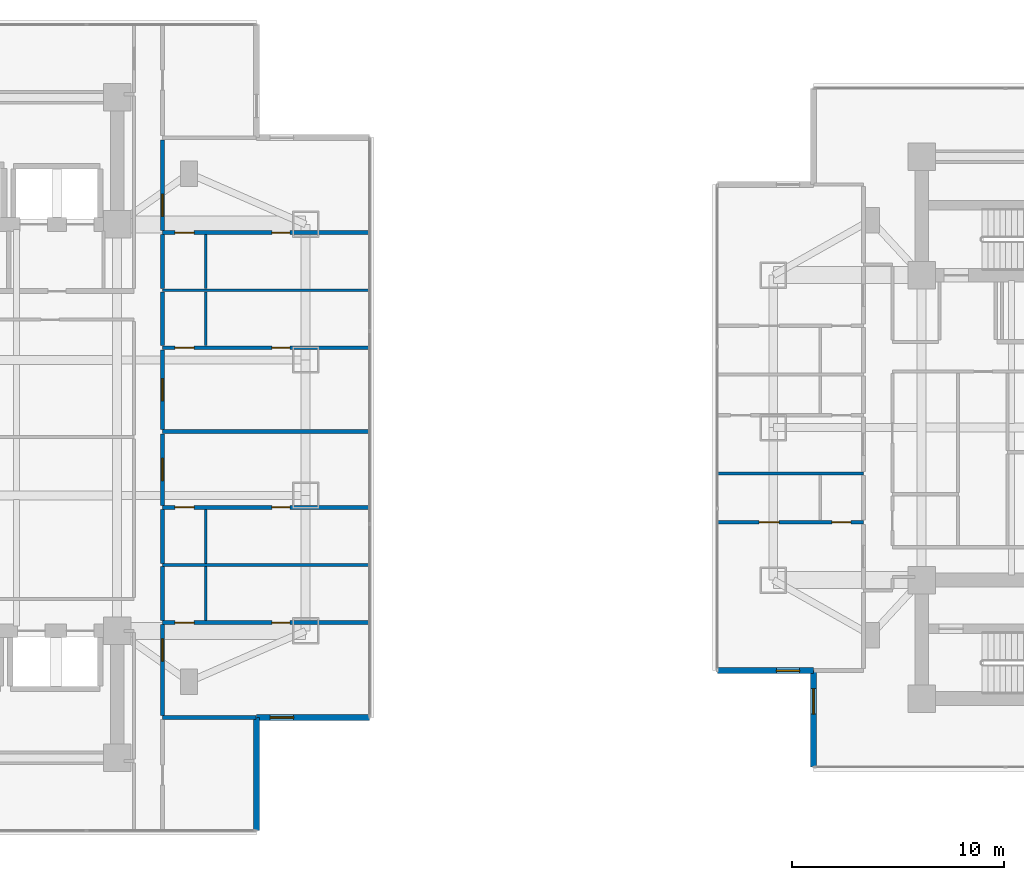
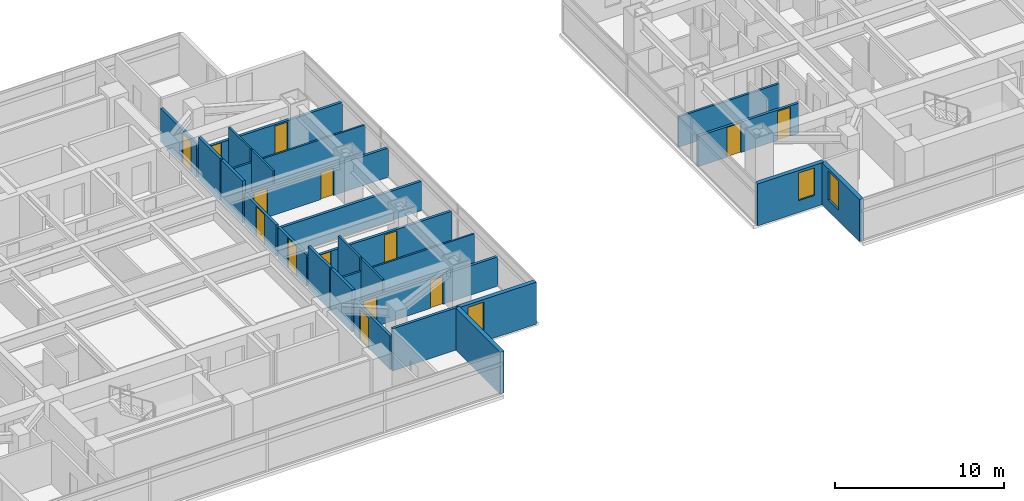
# One storey, part 14 of 24: 26 walls, 14 doors, 3 windows, 17 openings.
"""IFC4 building model written with IfcOpenShell, lengths in metres."""

from ifc_helpers import new_model, si_unit, direction, frame, frame_2d, origin, place, context, subcontext, project, spatial, rectangle, extrude, material, layer, layer_set, type_object, element, fill, save


model = new_model("IFC4")

# Units and contexts
model_context = context("Model", 3, precision=1e-05, world=origin(), true_north=direction((0.0, 1.0)))
body_context = subcontext(model_context, "Body", "Model", "MODEL_VIEW")
ifc_project = project(units=[si_unit("LENGTHUNIT", "METRE"), si_unit("AREAUNIT", "SQUARE_METRE"), si_unit("VOLUMEUNIT", "CUBIC_METRE"), si_unit("PLANEANGLEUNIT", "RADIAN"), si_unit("MASSUNIT", "GRAM", prefix="KILO")], contexts=[model_context])

# Site, building, storey
site_placement = place(None, origin())
site = spatial("IfcSite", under=ifc_project, at=site_placement, CompositionType="ELEMENT")
building_placement = place(site_placement, origin())
building = spatial("IfcBuilding", under=site, at=building_placement, Name="Mirazonda Arch Towers", CompositionType="ELEMENT")
storey_placement = place(building_placement, frame((0.0, 0.0, 62.0)))
storey = spatial("IfcBuildingStorey", under=building, at=storey_placement, Name="L17", CompositionType="ELEMENT", Elevation=62.0)

# Wall, opening, window
ifc_material_1 = material(Name="Precast Concrete C40/50", Category="concrete")
ifc_layer_1 = layer(ifc_material_1, 0.280029296875, Name="WALL-EXT-WALL-280")
ifc_layer_set_1 = layer_set([ifc_layer_1], Name="Precast Concrete C40/50")
wall_type_1 = type_object("IfcWallType", Name="WALL-EXT-WALL-280", PredefinedType="SOLIDWALL", material=ifc_layer_set_1)
wall_1_placement = place(storey_placement, frame((36.580078125, 14.305908203125, 0.0), z_axis=(0.0, 0.0, 1.0), x_axis=(1.0, 0.0, 0.0)))
wall_1 = element("IfcWall", 1, at=wall_1_placement, inside=storey, type_object=wall_type_1, Name="L17 T1 Corner Notch Return Wall WL-L17-T1-CSE1", PredefinedType="SOLIDWALL", context=body_context, shape_type="SweptSolid", body=[
    extrude(rectangle(XDim=5.33984375, YDim=0.280029296875, at=frame_2d((2.669921875, 0.0))), origin(), (0.0, 0.0, 1.0), 3.0400390625),
])
opening_1_placement = place(wall_1_placement, frame((0.64990234375, 0.0, 0.85009765625)))
opening_1 = element("IfcOpeningElement", 2, at=opening_1_placement, cuts=wall_1, Name="Opening WN-108", PredefinedType="OPENING", context=body_context, shape_type="SweptSolid", body=[
    extrude(rectangle(XDim=1.10009765625, YDim=2.0, at=frame_2d((0.550048828125, 1.0))), frame((0.0, 0.14990234375, 0.0), z_axis=(0.0, -1.0, 0.0), x_axis=(1.0, 0.0, 0.0)), (0.0, 0.0, 1.0), 0.300048828125),
])
ifc_material_2 = material(Name="Insulated Low-E Solar Glass", Category="glass")
window_type_1 = type_object("IfcWindowType", Name="WIN-NOTCH-1100x2000", PartitioningType="SINGLE_PANEL", PredefinedType="WINDOW", material=ifc_material_2)
window_1_placement = place(opening_1_placement, origin())
window_1 = element("IfcWindow", 3, at=window_1_placement, inside=storey, type_object=window_type_1, Name="L17 Punched Facade Window WN-L17-T1-CSE1", OverallHeight=2.0, OverallWidth=1.10009765625, PartitioningType="SINGLE_PANEL", PredefinedType="WINDOW", context=body_context, shape_type="SweptSolid", body=[
    extrude(rectangle(XDim=1.10009765625, YDim=2.0, at=frame_2d((0.550048828125, 1.0))), frame((0.0, 0.030029296875, 0.0), z_axis=(0.0, -1.0, 0.0), x_axis=(1.0, 0.0, 0.0)), (0.0, 0.0, 1.0), 0.06005859375),
])
fill(opening_1, window_1)

# Wall
wall_2_placement = place(storey_placement, frame((36.580078125, 8.966064453125, 0.0), z_axis=(0.0, 0.0, 1.0), x_axis=(0.0, 1.0, 0.0)))
element("IfcWall", 4, at=wall_2_placement, inside=storey, type_object=wall_type_1, Name="L17 T1 Corner Notch Return Wall WL-L17-T1-CSE2", PredefinedType="SOLIDWALL", context=body_context, shape_type="SweptSolid", body=[
    extrude(rectangle(XDim=5.33984375, YDim=0.280029296875, at=frame_2d((2.669921875, 0.0))), origin(), (0.0, 0.0, 1.0), 3.0400390625),
])

# Wall, opening, window
wall_3_placement = place(storey_placement, frame((62.89208984375, 16.52001953125, 0.0), z_axis=(0.0, 0.0, 1.0), x_axis=(0.0, -1.0, 0.0)))
wall_3 = element("IfcWall", 5, at=wall_3_placement, inside=storey, type_object=wall_type_1, Name="L17 T2 Notched SW Corner Wall WL-L17-T2-CSW", PredefinedType="SOLIDWALL", context=body_context, shape_type="SweptSolid", body=[
    extrude(rectangle(XDim=4.5458984375, YDim=0.280029296875, at=frame_2d((2.27294921875, 0.0))), origin(), (0.0, 0.0, 1.0), 3.0400390625),
])
opening_2_placement = place(wall_3_placement, frame((0.85009765625, 0.0, 0.7900390625)))
opening_2 = element("IfcOpeningElement", 6, at=opening_2_placement, cuts=wall_3, Name="Opening WN-122", PredefinedType="OPENING", context=body_context, shape_type="SweptSolid", body=[
    extrude(rectangle(XDim=1.199951171875, YDim=2.10009765625, at=frame_2d((0.60009765625, 1.050048828125))), frame((0.0, 0.14990234375, 0.0), z_axis=(0.0, -1.0, 0.0), x_axis=(1.0, 0.0, 0.0)), (0.0, 0.0, 1.0), 0.300048828125),
])
window_type_2 = type_object("IfcWindowType", Name="WIN-HTL-1200x2100", PartitioningType="SINGLE_PANEL", PredefinedType="WINDOW", material=ifc_material_2)
window_2_placement = place(opening_2_placement, origin())
window_2 = element("IfcWindow", 7, at=window_2_placement, inside=storey, type_object=window_type_2, Name="L17 Punched Facade Window WN-L17-T2-CSW", OverallHeight=2.10009765625, OverallWidth=1.199951171875, PartitioningType="SINGLE_PANEL", PredefinedType="WINDOW", context=body_context, shape_type="SweptSolid", body=[
    extrude(rectangle(XDim=1.199951171875, YDim=2.10009765625, at=frame_2d((0.60009765625, 1.050048828125))), frame((0.0, 0.030029296875, 0.0), z_axis=(0.0, -1.0, 0.0), x_axis=(1.0, 0.0, 0.0)), (0.0, 0.0, 1.0), 0.06005859375),
])
fill(opening_2, window_2)

wall_4_placement = place(storey_placement, frame((58.345947265625, 16.52001953125, 0.0), z_axis=(0.0, 0.0, 1.0), x_axis=(1.0, 0.0, 0.0)))
wall_4 = element("IfcWall", 8, at=wall_4_placement, inside=storey, type_object=wall_type_1, Name="L17 T2 Corner Notch Return Wall WL-L17-T2-CSW2", PredefinedType="SOLIDWALL", context=body_context, shape_type="SweptSolid", body=[
    extrude(rectangle(XDim=4.546142578125, YDim=0.280029296875, at=frame_2d((2.27294921875, 0.0))), origin(), (0.0, 0.0, 1.0), 3.0400390625),
])
opening_3_placement = place(wall_4_placement, frame((2.7958984375, 0.0, 0.85009765625)))
opening_3 = element("IfcOpeningElement", 9, at=opening_3_placement, cuts=wall_4, Name="Opening WN-108", PredefinedType="OPENING", context=body_context, shape_type="SweptSolid", body=[
    extrude(rectangle(XDim=1.10009765625, YDim=2.0, at=frame_2d((0.550048828125, 1.0))), frame((0.0, 0.14990234375, 0.0), z_axis=(0.0, -1.0, 0.0), x_axis=(1.0, 0.0, 0.0)), (0.0, 0.0, 1.0), 0.300048828125),
])
window_3_placement = place(opening_3_placement, origin())
window_3 = element("IfcWindow", 10, at=window_3_placement, inside=storey, type_object=window_type_1, Name="L17 Punched Facade Window WN-L17-T2-CSW2", OverallHeight=2.0, OverallWidth=1.10009765625, PartitioningType="SINGLE_PANEL", PredefinedType="WINDOW", context=body_context, shape_type="SweptSolid", body=[
    extrude(rectangle(XDim=1.10009765625, YDim=2.0, at=frame_2d((0.550048828125, 1.0))), frame((0.0, 0.030029296875, 0.0), z_axis=(0.0, -1.0, 0.0), x_axis=(1.0, 0.0, 0.0)), (0.0, 0.0, 1.0), 0.06005859375),
])
fill(opening_3, window_3)

# Walls
ifc_material_3 = material(Name="Fire-Rated Gypsum Stud Partition")
ifc_layer_2 = layer(ifc_material_3, 0.14990234375, Name="WALL-PART-CORR-150")
ifc_layer_set_2 = layer_set([ifc_layer_2], Name="Fire-Rated Gypsum Stud Partition")
wall_type_2 = type_object("IfcWallType", Name="WALL-PART-CORR-150", PredefinedType="PARTITIONING", material=ifc_layer_set_2)
wall_5_placement = place(storey_placement, frame((58.345947265625, 25.833984375, 0.0), z_axis=(0.0, 0.0, 1.0), x_axis=(1.0, 0.0, 0.0)))
element("IfcWall", 11, at=wall_5_placement, inside=storey, type_object=wall_type_2, Name="L17 Interior Partition 028", PredefinedType="PARTITIONING", context=body_context, shape_type="SweptSolid", body=[
    extrude(rectangle(XDim=6.904052734375, YDim=0.14990234375, at=frame_2d((3.4521484375, 0.0))), origin(), (0.0, 0.0, 1.0), 2.196044921875),
])
ifc_material_4 = material(Name="Fire-Rated Gypsum Twin-Stud Assembly")
ifc_layer_3 = layer(ifc_material_4, 0.179931640625, Name="WALL-PART-DEMISE-180")
ifc_layer_set_3 = layer_set([ifc_layer_3], Name="Fire-Rated Gypsum Twin-Stud Assembly")
wall_type_3 = type_object("IfcWallType", Name="WALL-PART-DEMISE-180", PredefinedType="PARTITIONING", material=ifc_layer_set_3)
wall_6_placement = place(storey_placement, frame((32.139892578125, 14.305908203125, 0.0), z_axis=(0.0, 0.0, 1.0), x_axis=(1.0, 0.0, 0.0)))
element("IfcWall", 12, at=wall_6_placement, inside=storey, type_object=wall_type_3, Name="L17 Interior Partition 005", PredefinedType="PARTITIONING", context=body_context, shape_type="SweptSolid", body=[
    extrude(rectangle(XDim=4.420166015625, YDim=0.179931640625, at=frame_2d((2.2099609375, 0.0))), origin(), (0.0, 0.0, 1.0), 3.06005859375),
])

# Wall, openings, doors
wall_7_placement = place(storey_placement, frame((32.139892578125, 18.7900390625, 0.0), z_axis=(0.0, 0.0, 1.0), x_axis=(1.0, 0.0, 0.0)))
wall_7 = element("IfcWall", 13, at=wall_7_placement, inside=storey, type_object=wall_type_3, Name="L17 Interior Partition 015", PredefinedType="PARTITIONING", context=body_context, shape_type="SweptSolid", body=[
    extrude(rectangle(XDim=9.780029296875, YDim=0.179931640625, at=frame_2d((4.89013671875, 0.0))), origin(), (0.0, 0.0, 1.0), 2.125),
])
opening_4_placement = place(wall_7_placement, frame((5.1650390625, 0.0, 0.0)))
opening_4 = element("IfcOpeningElement", 14, at=opening_4_placement, cuts=wall_7, Name="Opening DR-128", PredefinedType="OPENING", context=body_context, shape_type="SweptSolid", body=[
    extrude(rectangle(XDim=0.85009765625, YDim=2.010009765625, at=frame_2d((0.425048828125, 1.0048828125))), frame((0.0, 0.099853515625, 0.0), z_axis=(0.0, -1.0, 0.0), x_axis=(1.0, 0.0, 0.0)), (0.0, 0.0, 1.0), 0.199951171875),
])
opening_5_placement = place(wall_7_placement, frame((0.590087890625, 0.0, 0.0)))
opening_5 = element("IfcOpeningElement", 15, at=opening_5_placement, cuts=wall_7, Name="Opening DR-120", PredefinedType="OPENING", context=body_context, shape_type="SweptSolid", body=[
    extrude(rectangle(XDim=0.89990234375, YDim=2.10009765625, at=frame_2d((0.449951171875, 1.050048828125))), frame((0.0, 0.099853515625, 0.0), z_axis=(0.0, -1.0, 0.0), x_axis=(1.0, 0.0, 0.0)), (0.0, 0.0, 1.0), 0.199951171875),
])
ifc_material_5 = material(Name="Architectural Brushed Steel S355", Category="steel")
door_type_1 = type_object("IfcDoorType", Name="DOOR-RISER-FD60-850", OperationType="NOTDEFINED", PredefinedType="DOOR", material=ifc_material_5)
door_1_placement = place(opening_4_placement, origin())
door_1 = element("IfcDoor", 16, at=door_1_placement, inside=storey, type_object=door_type_1, Name="L17 Guestroom Study 1 Door", OperationType="SINGLE_SWING_LEFT", OverallHeight=2.010009765625, OverallWidth=0.85009765625, PredefinedType="DOOR", context=body_context, shape_type="SweptSolid", body=[
    extrude(rectangle(XDim=0.85009765625, YDim=2.010009765625, at=frame_2d((0.425048828125, 1.0048828125))), frame((0.0, 0.02490234375, 0.0), z_axis=(0.0, -1.0, 0.0), x_axis=(1.0, 0.0, 0.0)), (0.0, 0.0, 1.0), 0.050048828125),
])
fill(opening_4, door_1)
door_type_2 = type_object("IfcDoorType", Name="DOOR-WC-900", OperationType="NOTDEFINED", PredefinedType="DOOR", material=ifc_material_5)
door_2_placement = place(opening_5_placement, origin())
door_2 = element("IfcDoor", 17, at=door_2_placement, inside=storey, type_object=door_type_2, Name="L17 En-Suite Bathroom 1 Door", OperationType="SINGLE_SWING_RIGHT", OverallHeight=2.10009765625, OverallWidth=0.89990234375, PredefinedType="DOOR", context=body_context, shape_type="SweptSolid", body=[
    extrude(rectangle(XDim=0.89990234375, YDim=2.10009765625, at=frame_2d((0.449951171875, 1.050048828125))), frame((0.0, 0.02490234375, 0.0), z_axis=(0.0, -1.0, 0.0), x_axis=(1.0, 0.0, 0.0)), (0.0, 0.0, 1.0), 0.050048828125),
])
fill(opening_5, door_2)

wall_8_placement = place(storey_placement, frame((58.345947265625, 23.533935546875, 0.0), z_axis=(0.0, 0.0, 1.0), x_axis=(1.0, 0.0, 0.0)))
wall_8 = element("IfcWall", 18, at=wall_8_placement, inside=storey, type_object=wall_type_3, Name="L17 Interior Partition 024", PredefinedType="PARTITIONING", context=body_context, shape_type="SweptSolid", body=[
    extrude(rectangle(XDim=6.904052734375, YDim=0.179931640625, at=frame_2d((3.4521484375, 0.0))), origin(), (0.0, 0.0, 1.0), 2.196044921875),
])
opening_6_placement = place(wall_8_placement, frame((1.97705078125, 0.0, 0.0)))
opening_6 = element("IfcOpeningElement", 19, at=opening_6_placement, cuts=wall_8, Name="Opening DR-104", PredefinedType="OPENING", context=body_context, shape_type="SweptSolid", body=[
    extrude(rectangle(XDim=0.949951171875, YDim=2.14990234375, at=frame_2d((0.47509765625, 1.074951171875))), frame((0.0, 0.099853515625, 0.0), z_axis=(0.0, -1.0, 0.0), x_axis=(1.0, 0.0, 0.0)), (0.0, 0.0, 1.0), 0.199951171875),
])
opening_7_placement = place(wall_8_placement, frame((5.4140625, 0.0, 0.0)))
opening_7 = element("IfcOpeningElement", 20, at=opening_7_placement, cuts=wall_8, Name="Opening DR-120", PredefinedType="OPENING", context=body_context, shape_type="SweptSolid", body=[
    extrude(rectangle(XDim=0.89990234375, YDim=2.10009765625, at=frame_2d((0.449951171875, 1.050048828125))), frame((0.0, 0.099853515625, 0.0), z_axis=(0.0, -1.0, 0.0), x_axis=(1.0, 0.0, 0.0)), (0.0, 0.0, 1.0), 0.199951171875),
])
door_type_3 = type_object("IfcDoorType", Name="DOOR-ROOM-950", OperationType="NOTDEFINED", PredefinedType="DOOR", material=ifc_material_5)
door_3_placement = place(opening_6_placement, origin())
door_3 = element("IfcDoor", 21, at=door_3_placement, inside=storey, type_object=door_type_3, Name="L17 Guestroom Study 1 Door", OperationType="SINGLE_SWING_LEFT", OverallHeight=2.14990234375, OverallWidth=0.949951171875, PredefinedType="DOOR", context=body_context, shape_type="SweptSolid", body=[
    extrude(rectangle(XDim=0.949951171875, YDim=2.14990234375, at=frame_2d((0.47509765625, 1.074951171875))), frame((0.0, 0.02490234375, 0.0), z_axis=(0.0, -1.0, 0.0), x_axis=(1.0, 0.0, 0.0)), (0.0, 0.0, 1.0), 0.050048828125),
])
fill(opening_6, door_3)
door_4_placement = place(opening_7_placement, origin())
door_4 = element("IfcDoor", 22, at=door_4_placement, inside=storey, type_object=door_type_2, Name="L17 En-Suite Bathroom 1 Door", OperationType="SINGLE_SWING_RIGHT", OverallHeight=2.10009765625, OverallWidth=0.89990234375, PredefinedType="DOOR", context=body_context, shape_type="SweptSolid", body=[
    extrude(rectangle(XDim=0.89990234375, YDim=2.10009765625, at=frame_2d((0.449951171875, 1.050048828125))), frame((0.0, 0.02490234375, 0.0), z_axis=(0.0, -1.0, 0.0), x_axis=(1.0, 0.0, 0.0)), (0.0, 0.0, 1.0), 0.050048828125),
])
fill(opening_7, door_4)

wall_9_placement = place(storey_placement, frame((32.139892578125, 24.22802734375, 0.0), z_axis=(0.0, 0.0, 1.0), x_axis=(1.0, 0.0, 0.0)))
wall_9 = element("IfcWall", 23, at=wall_9_placement, inside=storey, type_object=wall_type_3, Name="L17 Interior Partition 026", PredefinedType="PARTITIONING", context=body_context, shape_type="SweptSolid", body=[
    extrude(rectangle(XDim=9.780029296875, YDim=0.179931640625, at=frame_2d((4.89013671875, 0.0))), origin(), (0.0, 0.0, 1.0), 2.125),
])
opening_8_placement = place(wall_9_placement, frame((5.1650390625, 0.0, 0.0)))
opening_8 = element("IfcOpeningElement", 24, at=opening_8_placement, cuts=wall_9, Name="Opening DR-128", PredefinedType="OPENING", context=body_context, shape_type="SweptSolid", body=[
    extrude(rectangle(XDim=0.85009765625, YDim=2.010009765625, at=frame_2d((0.425048828125, 1.0048828125))), frame((0.0, 0.099853515625, 0.0), z_axis=(0.0, -1.0, 0.0), x_axis=(1.0, 0.0, 0.0)), (0.0, 0.0, 1.0), 0.199951171875),
])
opening_9_placement = place(wall_9_placement, frame((0.590087890625, 0.0, 0.0)))
opening_9 = element("IfcOpeningElement", 25, at=opening_9_placement, cuts=wall_9, Name="Opening DR-120", PredefinedType="OPENING", context=body_context, shape_type="SweptSolid", body=[
    extrude(rectangle(XDim=0.89990234375, YDim=2.10009765625, at=frame_2d((0.449951171875, 1.050048828125))), frame((0.0, 0.099853515625, 0.0), z_axis=(0.0, -1.0, 0.0), x_axis=(1.0, 0.0, 0.0)), (0.0, 0.0, 1.0), 0.199951171875),
])
door_5_placement = place(opening_8_placement, origin())
door_5 = element("IfcDoor", 26, at=door_5_placement, inside=storey, type_object=door_type_1, Name="L17 Guestroom Study 2 Door", OperationType="SINGLE_SWING_RIGHT", OverallHeight=2.010009765625, OverallWidth=0.85009765625, PredefinedType="DOOR", context=body_context, shape_type="SweptSolid", body=[
    extrude(rectangle(XDim=0.85009765625, YDim=2.010009765625, at=frame_2d((0.425048828125, 1.0048828125))), frame((0.0, 0.02490234375, 0.0), z_axis=(0.0, -1.0, 0.0), x_axis=(1.0, 0.0, 0.0)), (0.0, 0.0, 1.0), 0.050048828125),
])
fill(opening_8, door_5)
door_6_placement = place(opening_9_placement, origin())
door_6 = element("IfcDoor", 27, at=door_6_placement, inside=storey, type_object=door_type_2, Name="L17 En-Suite Bathroom 2 Door", OperationType="SINGLE_SWING_LEFT", OverallHeight=2.10009765625, OverallWidth=0.89990234375, PredefinedType="DOOR", context=body_context, shape_type="SweptSolid", body=[
    extrude(rectangle(XDim=0.89990234375, YDim=2.10009765625, at=frame_2d((0.449951171875, 1.050048828125))), frame((0.0, 0.02490234375, 0.0), z_axis=(0.0, -1.0, 0.0), x_axis=(1.0, 0.0, 0.0)), (0.0, 0.0, 1.0), 0.050048828125),
])
fill(opening_9, door_6)

# Wall
wall_10_placement = place(storey_placement, frame((32.139892578125, 27.80908203125, 0.0), z_axis=(0.0, 0.0, 1.0), x_axis=(1.0, 0.0, 0.0)))
element("IfcWall", 28, at=wall_10_placement, inside=storey, type_object=wall_type_3, Name="L17 Interior Partition 032", PredefinedType="PARTITIONING", context=body_context, shape_type="SweptSolid", body=[
    extrude(rectangle(XDim=9.780029296875, YDim=0.179931640625, at=frame_2d((4.89013671875, 0.0))), origin(), (0.0, 0.0, 1.0), 2.125),
])

# Wall, openings, doors
wall_11_placement = place(storey_placement, frame((32.139892578125, 31.77001953125, 0.0), z_axis=(0.0, 0.0, 1.0), x_axis=(1.0, 0.0, 0.0)))
wall_11 = element("IfcWall", 29, at=wall_11_placement, inside=storey, type_object=wall_type_3, Name="L17 Interior Partition 037", PredefinedType="PARTITIONING", context=body_context, shape_type="SweptSolid", body=[
    extrude(rectangle(XDim=9.780029296875, YDim=0.179931640625, at=frame_2d((4.89013671875, 0.0))), origin(), (0.0, 0.0, 1.0), 2.125),
])
opening_10_placement = place(wall_11_placement, frame((5.1650390625, 0.0, 0.0)))
opening_10 = element("IfcOpeningElement", 30, at=opening_10_placement, cuts=wall_11, Name="Opening DR-128", PredefinedType="OPENING", context=body_context, shape_type="SweptSolid", body=[
    extrude(rectangle(XDim=0.85009765625, YDim=2.010009765625, at=frame_2d((0.425048828125, 1.0048828125))), frame((0.0, 0.099853515625, 0.0), z_axis=(0.0, -1.0, 0.0), x_axis=(1.0, 0.0, 0.0)), (0.0, 0.0, 1.0), 0.199951171875),
])
opening_11_placement = place(wall_11_placement, frame((0.590087890625, 0.0, 0.0)))
opening_11 = element("IfcOpeningElement", 31, at=opening_11_placement, cuts=wall_11, Name="Opening DR-120", PredefinedType="OPENING", context=body_context, shape_type="SweptSolid", body=[
    extrude(rectangle(XDim=0.89990234375, YDim=2.10009765625, at=frame_2d((0.449951171875, 1.050048828125))), frame((0.0, 0.099853515625, 0.0), z_axis=(0.0, -1.0, 0.0), x_axis=(1.0, 0.0, 0.0)), (0.0, 0.0, 1.0), 0.199951171875),
])
door_7_placement = place(opening_10_placement, origin())
door_7 = element("IfcDoor", 32, at=door_7_placement, inside=storey, type_object=door_type_1, Name="L17 Guestroom Study 3 Door", OperationType="SINGLE_SWING_LEFT", OverallHeight=2.010009765625, OverallWidth=0.85009765625, PredefinedType="DOOR", context=body_context, shape_type="SweptSolid", body=[
    extrude(rectangle(XDim=0.85009765625, YDim=2.010009765625, at=frame_2d((0.425048828125, 1.0048828125))), frame((0.0, 0.02490234375, 0.0), z_axis=(0.0, -1.0, 0.0), x_axis=(1.0, 0.0, 0.0)), (0.0, 0.0, 1.0), 0.050048828125),
])
fill(opening_10, door_7)
door_8_placement = place(opening_11_placement, origin())
door_8 = element("IfcDoor", 33, at=door_8_placement, inside=storey, type_object=door_type_2, Name="L17 En-Suite Bathroom 3 Door", OperationType="SINGLE_SWING_RIGHT", OverallHeight=2.10009765625, OverallWidth=0.89990234375, PredefinedType="DOOR", context=body_context, shape_type="SweptSolid", body=[
    extrude(rectangle(XDim=0.89990234375, YDim=2.10009765625, at=frame_2d((0.449951171875, 1.050048828125))), frame((0.0, 0.02490234375, 0.0), z_axis=(0.0, -1.0, 0.0), x_axis=(1.0, 0.0, 0.0)), (0.0, 0.0, 1.0), 0.050048828125),
])
fill(opening_11, door_8)

wall_12_placement = place(storey_placement, frame((32.139892578125, 37.2099609375, 0.0), z_axis=(0.0, 0.0, 1.0), x_axis=(1.0, 0.0, 0.0)))
wall_12 = element("IfcWall", 34, at=wall_12_placement, inside=storey, type_object=wall_type_3, Name="L17 Interior Partition 049", PredefinedType="PARTITIONING", context=body_context, shape_type="SweptSolid", body=[
    extrude(rectangle(XDim=9.780029296875, YDim=0.179931640625, at=frame_2d((4.89013671875, 0.0))), origin(), (0.0, 0.0, 1.0), 2.125),
])
opening_12_placement = place(wall_12_placement, frame((5.1650390625, 0.0, 0.0)))
opening_12 = element("IfcOpeningElement", 35, at=opening_12_placement, cuts=wall_12, Name="Opening DR-128", PredefinedType="OPENING", context=body_context, shape_type="SweptSolid", body=[
    extrude(rectangle(XDim=0.85009765625, YDim=2.010009765625, at=frame_2d((0.425048828125, 1.0048828125))), frame((0.0, 0.099853515625, 0.0), z_axis=(0.0, -1.0, 0.0), x_axis=(1.0, 0.0, 0.0)), (0.0, 0.0, 1.0), 0.199951171875),
])
opening_13_placement = place(wall_12_placement, frame((0.590087890625, 0.0, 0.0)))
opening_13 = element("IfcOpeningElement", 36, at=opening_13_placement, cuts=wall_12, Name="Opening DR-120", PredefinedType="OPENING", context=body_context, shape_type="SweptSolid", body=[
    extrude(rectangle(XDim=0.89990234375, YDim=2.10009765625, at=frame_2d((0.449951171875, 1.050048828125))), frame((0.0, 0.099853515625, 0.0), z_axis=(0.0, -1.0, 0.0), x_axis=(1.0, 0.0, 0.0)), (0.0, 0.0, 1.0), 0.199951171875),
])
door_9_placement = place(opening_12_placement, origin())
door_9 = element("IfcDoor", 37, at=door_9_placement, inside=storey, type_object=door_type_1, Name="L17 Guestroom Study 4 Door", OperationType="SINGLE_SWING_RIGHT", OverallHeight=2.010009765625, OverallWidth=0.85009765625, PredefinedType="DOOR", context=body_context, shape_type="SweptSolid", body=[
    extrude(rectangle(XDim=0.85009765625, YDim=2.010009765625, at=frame_2d((0.425048828125, 1.0048828125))), frame((0.0, 0.02490234375, 0.0), z_axis=(0.0, -1.0, 0.0), x_axis=(1.0, 0.0, 0.0)), (0.0, 0.0, 1.0), 0.050048828125),
])
fill(opening_12, door_9)
door_10_placement = place(opening_13_placement, origin())
door_10 = element("IfcDoor", 38, at=door_10_placement, inside=storey, type_object=door_type_2, Name="L17 En-Suite Bathroom 4 Door", OperationType="SINGLE_SWING_LEFT", OverallHeight=2.10009765625, OverallWidth=0.89990234375, PredefinedType="DOOR", context=body_context, shape_type="SweptSolid", body=[
    extrude(rectangle(XDim=0.89990234375, YDim=2.10009765625, at=frame_2d((0.449951171875, 1.050048828125))), frame((0.0, 0.02490234375, 0.0), z_axis=(0.0, -1.0, 0.0), x_axis=(1.0, 0.0, 0.0)), (0.0, 0.0, 1.0), 0.050048828125),
])
fill(opening_13, door_10)

# Wall, opening, door
wall_13_placement = place(storey_placement, frame((32.139892578125, 14.406005859375, 0.0), z_axis=(0.0, 0.0, 1.0), x_axis=(0.0, 1.0, 0.0)))
wall_13 = element("IfcWall", 39, at=wall_13_placement, inside=storey, type_object=wall_type_3, Name="L17 Interior Partition 103", PredefinedType="PARTITIONING", context=body_context, shape_type="SweptSolid", body=[
    extrude(rectangle(XDim=4.283935546875, YDim=0.179931640625, at=frame_2d((2.14208984375, 0.0))), origin(), (0.0, 0.0, 1.0), 2.43603515625),
])
opening_14_placement = place(wall_13_placement, frame((2.56689453125, 0.0, 0.0)))
opening_14 = element("IfcOpeningElement", 40, at=opening_14_placement, cuts=wall_13, Name="Opening DR-121", PredefinedType="OPENING", context=body_context, shape_type="SweptSolid", body=[
    extrude(rectangle(XDim=1.050048828125, YDim=2.199951171875, at=frame_2d((0.52490234375, 1.10009765625))), frame((0.0, 0.099853515625, 0.0), z_axis=(0.0, -1.0, 0.0), x_axis=(1.0, 0.0, 0.0)), (0.0, 0.0, 1.0), 0.199951171875),
])
door_type_4 = type_object("IfcDoorType", Name="DOOR-SUITE-FD60-1050", OperationType="NOTDEFINED", PredefinedType="DOOR", material=ifc_material_5)
door_11_placement = place(opening_14_placement, origin())
door_11 = element("IfcDoor", 41, at=door_11_placement, inside=storey, type_object=door_type_4, Name="L17 King Hotel Guestroom 1 Door", OperationType="SINGLE_SWING_RIGHT", OverallHeight=2.199951171875, OverallWidth=1.050048828125, PredefinedType="DOOR", context=body_context, shape_type="SweptSolid", body=[
    extrude(rectangle(XDim=1.050048828125, YDim=2.199951171875, at=frame_2d((0.52490234375, 1.10009765625))), frame((0.0, 0.02490234375, 0.0), z_axis=(0.0, -1.0, 0.0), x_axis=(1.0, 0.0, 0.0)), (0.0, 0.0, 1.0), 0.050048828125),
])
fill(opening_14, door_11)

# Walls
wall_14_placement = place(storey_placement, frame((32.139892578125, 18.889892578125, 0.0), z_axis=(0.0, 0.0, 1.0), x_axis=(0.0, 1.0, 0.0)))
element("IfcWall", 42, at=wall_14_placement, inside=storey, type_object=wall_type_3, Name="L17 Interior Partition 104", PredefinedType="PARTITIONING", context=body_context, shape_type="SweptSolid", body=[
    extrude(rectangle(XDim=2.547607421875, YDim=0.179931640625, at=frame_2d((1.27392578125, 0.0))), origin(), (0.0, 0.0, 1.0), 3.06005859375),
])
wall_15_placement = place(storey_placement, frame((32.139892578125, 21.58251953125, 0.0), z_axis=(0.0, 0.0, 1.0), x_axis=(0.0, 1.0, 0.0)))
element("IfcWall", 43, at=wall_15_placement, inside=storey, type_object=wall_type_3, Name="L17 Interior Partition 105", PredefinedType="PARTITIONING", context=body_context, shape_type="SweptSolid", body=[
    extrude(rectangle(XDim=2.54541015625, YDim=0.179931640625, at=frame_2d((1.272705078125, 0.0))), origin(), (0.0, 0.0, 1.0), 3.06005859375),
])

# Wall, opening, door
wall_16_placement = place(storey_placement, frame((32.139892578125, 24.327880859375, 0.0), z_axis=(0.0, 0.0, 1.0), x_axis=(0.0, 1.0, 0.0)))
wall_16 = element("IfcWall", 44, at=wall_16_placement, inside=storey, type_object=wall_type_3, Name="L17 Interior Partition 106", PredefinedType="PARTITIONING", context=body_context, shape_type="SweptSolid", body=[
    extrude(rectangle(XDim=3.381103515625, YDim=0.179931640625, at=frame_2d((1.6904296875, 0.0))), origin(), (0.0, 0.0, 1.0), 2.279052734375),
])
opening_15_placement = place(wall_16_placement, frame((1.16552734375, 0.0, 0.0)))
opening_15 = element("IfcOpeningElement", 45, at=opening_15_placement, cuts=wall_16, Name="Opening DR-121", PredefinedType="OPENING", context=body_context, shape_type="SweptSolid", body=[
    extrude(rectangle(XDim=1.050048828125, YDim=2.199951171875, at=frame_2d((0.52490234375, 1.10009765625))), frame((0.0, 0.099853515625, 0.0), z_axis=(0.0, -1.0, 0.0), x_axis=(1.0, 0.0, 0.0)), (0.0, 0.0, 1.0), 0.199951171875),
])
door_12_placement = place(opening_15_placement, origin())
door_12 = element("IfcDoor", 46, at=door_12_placement, inside=storey, type_object=door_type_4, Name="L17 Twin Hotel Guestroom 2 Door", OperationType="SINGLE_SWING_LEFT", OverallHeight=2.199951171875, OverallWidth=1.050048828125, PredefinedType="DOOR", context=body_context, shape_type="SweptSolid", body=[
    extrude(rectangle(XDim=1.050048828125, YDim=2.199951171875, at=frame_2d((0.52490234375, 1.10009765625))), frame((0.0, 0.02490234375, 0.0), z_axis=(0.0, -1.0, 0.0), x_axis=(1.0, 0.0, 0.0)), (0.0, 0.0, 1.0), 0.050048828125),
])
fill(opening_15, door_12)

wall_17_placement = place(storey_placement, frame((32.139892578125, 27.908935546875, 0.0), z_axis=(0.0, 0.0, 1.0), x_axis=(0.0, 1.0, 0.0)))
wall_17 = element("IfcWall", 47, at=wall_17_placement, inside=storey, type_object=wall_type_3, Name="L17 Interior Partition 107", PredefinedType="PARTITIONING", context=body_context, shape_type="SweptSolid", body=[
    extrude(rectangle(XDim=3.760986328125, YDim=0.179931640625, at=frame_2d((1.88037109375, 0.0))), origin(), (0.0, 0.0, 1.0), 2.279052734375),
])
opening_16_placement = place(wall_17_placement, frame((1.35546875, 0.0, 0.0)))
opening_16 = element("IfcOpeningElement", 48, at=opening_16_placement, cuts=wall_17, Name="Opening DR-121", PredefinedType="OPENING", context=body_context, shape_type="SweptSolid", body=[
    extrude(rectangle(XDim=1.050048828125, YDim=2.199951171875, at=frame_2d((0.52490234375, 1.10009765625))), frame((0.0, 0.099853515625, 0.0), z_axis=(0.0, -1.0, 0.0), x_axis=(1.0, 0.0, 0.0)), (0.0, 0.0, 1.0), 0.199951171875),
])
door_13_placement = place(opening_16_placement, origin())
door_13 = element("IfcDoor", 49, at=door_13_placement, inside=storey, type_object=door_type_4, Name="L17 King Hotel Guestroom 3 Door", OperationType="SINGLE_SWING_RIGHT", OverallHeight=2.199951171875, OverallWidth=1.050048828125, PredefinedType="DOOR", context=body_context, shape_type="SweptSolid", body=[
    extrude(rectangle(XDim=1.050048828125, YDim=2.199951171875, at=frame_2d((0.52490234375, 1.10009765625))), frame((0.0, 0.02490234375, 0.0), z_axis=(0.0, -1.0, 0.0), x_axis=(1.0, 0.0, 0.0)), (0.0, 0.0, 1.0), 0.050048828125),
])
fill(opening_16, door_13)

# Walls
wall_18_placement = place(storey_placement, frame((32.139892578125, 31.8701171875, 0.0), z_axis=(0.0, 0.0, 1.0), x_axis=(0.0, 1.0, 0.0)))
element("IfcWall", 50, at=wall_18_placement, inside=storey, type_object=wall_type_3, Name="L17 Interior Partition 108", PredefinedType="PARTITIONING", context=body_context, shape_type="SweptSolid", body=[
    extrude(rectangle(XDim=2.54736328125, YDim=0.179931640625, at=frame_2d((1.273681640625, 0.0))), origin(), (0.0, 0.0, 1.0), 3.06005859375),
])
wall_19_placement = place(storey_placement, frame((32.139892578125, 34.5625, 0.0), z_axis=(0.0, 0.0, 1.0), x_axis=(0.0, 1.0, 0.0)))
element("IfcWall", 51, at=wall_19_placement, inside=storey, type_object=wall_type_3, Name="L17 Interior Partition 109", PredefinedType="PARTITIONING", context=body_context, shape_type="SweptSolid", body=[
    extrude(rectangle(XDim=2.547607421875, YDim=0.179931640625, at=frame_2d((1.27392578125, 0.0))), origin(), (0.0, 0.0, 1.0), 3.06005859375),
])

# Wall, opening, door
wall_20_placement = place(storey_placement, frame((32.139892578125, 37.31005859375, 0.0), z_axis=(0.0, 0.0, 1.0), x_axis=(0.0, 1.0, 0.0)))
wall_20 = element("IfcWall", 52, at=wall_20_placement, inside=storey, type_object=wall_type_3, Name="L17 Interior Partition 110", PredefinedType="PARTITIONING", context=body_context, shape_type="SweptSolid", body=[
    extrude(rectangle(XDim=4.283935546875, YDim=0.179931640625, at=frame_2d((2.14208984375, 0.0))), origin(), (0.0, 0.0, 1.0), 2.43603515625),
])
opening_17_placement = place(wall_20_placement, frame((0.6669921875, 0.0, 0.0)))
opening_17 = element("IfcOpeningElement", 53, at=opening_17_placement, cuts=wall_20, Name="Opening DR-121", PredefinedType="OPENING", context=body_context, shape_type="SweptSolid", body=[
    extrude(rectangle(XDim=1.050048828125, YDim=2.199951171875, at=frame_2d((0.52490234375, 1.10009765625))), frame((0.0, 0.099853515625, 0.0), z_axis=(0.0, -1.0, 0.0), x_axis=(1.0, 0.0, 0.0)), (0.0, 0.0, 1.0), 0.199951171875),
])
door_14_placement = place(opening_17_placement, origin())
door_14 = element("IfcDoor", 54, at=door_14_placement, inside=storey, type_object=door_type_4, Name="L17 Twin Hotel Guestroom 4 Door", OperationType="SINGLE_SWING_LEFT", OverallHeight=2.199951171875, OverallWidth=1.050048828125, PredefinedType="DOOR", context=body_context, shape_type="SweptSolid", body=[
    extrude(rectangle(XDim=1.050048828125, YDim=2.199951171875, at=frame_2d((0.52490234375, 1.10009765625))), frame((0.0, 0.02490234375, 0.0), z_axis=(0.0, -1.0, 0.0), x_axis=(1.0, 0.0, 0.0)), (0.0, 0.0, 1.0), 0.050048828125),
])
fill(opening_17, door_14)

# Walls
ifc_material_6 = material(Name="Acoustic Fire-Rated Gypsum Partition")
ifc_layer_4 = layer(ifc_material_6, 0.125, Name="WALL-PART-UNIT-125")
ifc_layer_set_4 = layer_set([ifc_layer_4], Name="Acoustic Fire-Rated Gypsum Partition")
wall_type_4 = type_object("IfcWallType", Name="WALL-PART-UNIT-125", PredefinedType="PARTITIONING", material=ifc_layer_set_4)
for number, where, z_axis, x_axis, name in (
    (55, (32.139892578125, 21.510009765625, 0.0), (0.0, 0.0, 1.0), (1.0, 0.0, 0.0), "L17 Interior Partition 021"),
    (56, (32.139892578125, 34.489990234375, 0.0), (0.0, 0.0, 1.0), (1.0, 0.0, 0.0), "L17 Interior Partition 044"),
):
    element("IfcWall", number, at=place(storey_placement, frame(where, z_axis=z_axis, x_axis=x_axis)), inside=storey, type_object=wall_type_4, Name=name, PredefinedType="PARTITIONING", context=body_context, shape_type="SweptSolid", body=[
        extrude(rectangle(XDim=9.780029296875, YDim=0.125, at=frame_2d((4.89013671875, 0.0))), origin(), (0.0, 0.0, 1.0), 2.125),
    ])
wall_21_placement = place(storey_placement, frame((34.179931640625, 18.889892578125, 0.0), z_axis=(0.0, 0.0, 1.0), x_axis=(0.0, 1.0, 0.0)))
element("IfcWall", 57, at=wall_21_placement, inside=storey, type_object=wall_type_4, Name="L17 Interior Partition 112", PredefinedType="PARTITIONING", context=body_context, shape_type="SweptSolid", body=[
    extrude(rectangle(XDim=2.547607421875, YDim=0.125, at=frame_2d((1.27392578125, 0.0))), origin(), (0.0, 0.0, 1.0), 3.06005859375),
])
wall_22_placement = place(storey_placement, frame((34.179931640625, 21.58251953125, 0.0), z_axis=(0.0, 0.0, 1.0), x_axis=(0.0, 1.0, 0.0)))
element("IfcWall", 58, at=wall_22_placement, inside=storey, type_object=wall_type_4, Name="L17 Interior Partition 113", PredefinedType="PARTITIONING", context=body_context, shape_type="SweptSolid", body=[
    extrude(rectangle(XDim=2.54541015625, YDim=0.125, at=frame_2d((1.272705078125, 0.0))), origin(), (0.0, 0.0, 1.0), 3.06005859375),
])
wall_23_placement = place(storey_placement, frame((34.179931640625, 31.8701171875, 0.0), z_axis=(0.0, 0.0, 1.0), x_axis=(0.0, 1.0, 0.0)))
element("IfcWall", 59, at=wall_23_placement, inside=storey, type_object=wall_type_4, Name="L17 Interior Partition 114", PredefinedType="PARTITIONING", context=body_context, shape_type="SweptSolid", body=[
    extrude(rectangle(XDim=2.54736328125, YDim=0.125, at=frame_2d((1.273681640625, 0.0))), origin(), (0.0, 0.0, 1.0), 3.06005859375),
])
wall_24_placement = place(storey_placement, frame((34.179931640625, 34.5625, 0.0), z_axis=(0.0, 0.0, 1.0), x_axis=(0.0, 1.0, 0.0)))
element("IfcWall", 60, at=wall_24_placement, inside=storey, type_object=wall_type_4, Name="L17 Interior Partition 115", PredefinedType="PARTITIONING", context=body_context, shape_type="SweptSolid", body=[
    extrude(rectangle(XDim=2.547607421875, YDim=0.125, at=frame_2d((1.27392578125, 0.0))), origin(), (0.0, 0.0, 1.0), 3.06005859375),
])

save(model, "model.ifc")
